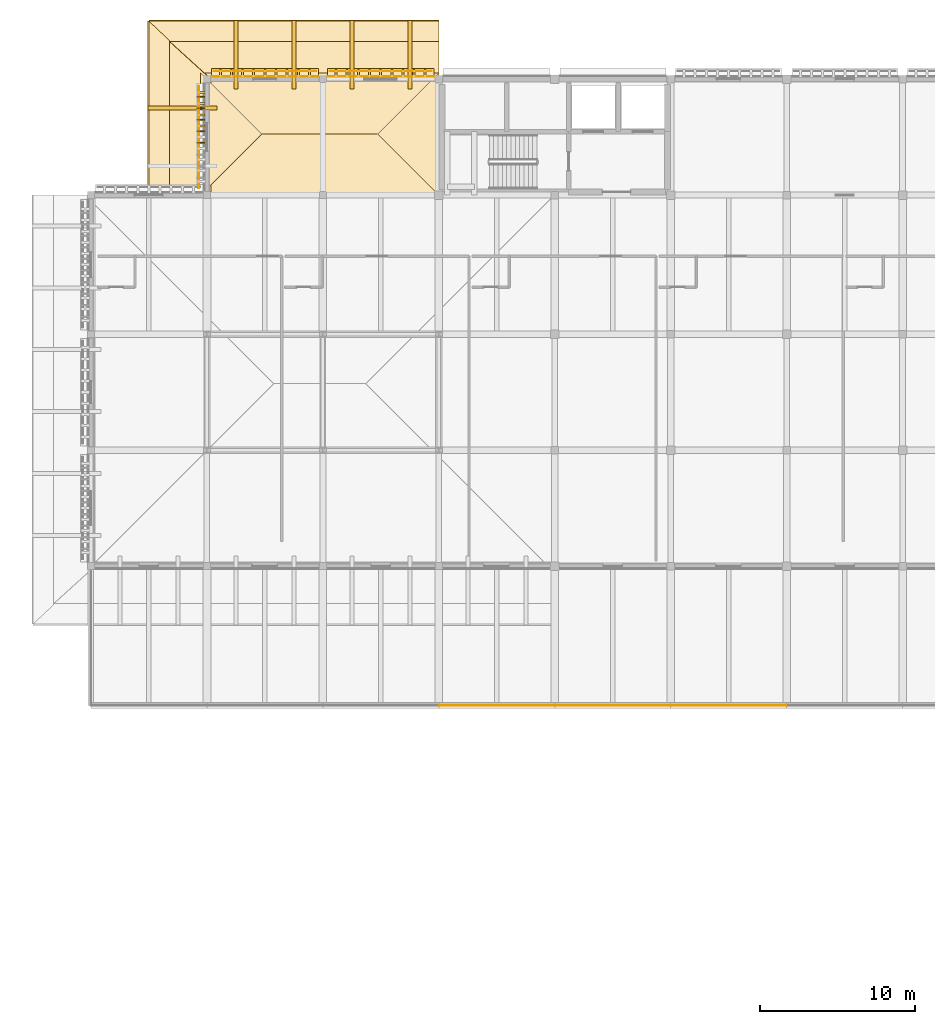
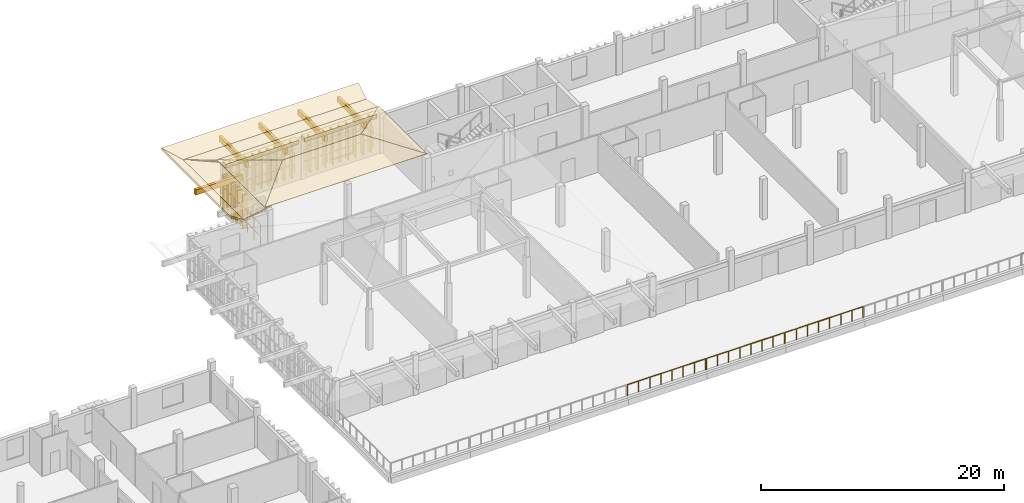
# One storey, part 41 of 48: 39 coverings, 9 railings, 5 shading devices.
"""IFC4 building model written with IfcOpenShell, lengths in metres."""

import ifcopenshell
import ifcopenshell.guid

model = None  # the IFC model being written
_history = None  # IfcOwnerHistory: only IFC2X3 demands one
_inside = {}  # id of a spatial element -> (the spatial element, [elements in it])
_under = {}  # id of a project, library or spatial element -> (it, [spatial elements below it])
_declared = {}  # id of a project -> (the project, [libraries it declares])
_typed = {}  # id of a type object -> (the type object, [elements of that type])
_made_of = {}  # id of a material, layer set ... -> (it, [elements and type objects made of it])


def new_model(schema):
    """Start an empty IFC model of exactly this schema.

    Asked for "IFC4X3", IfcOpenShell would pick the latest addendum, in which some entities
    have other attributes; the version numbers below select the first issue.
    IFC2X3 requires an IfcOwnerHistory on every rooted entity: one is made here for all.
    """
    global model, _history
    if schema == "IFC4X3":
        model = ifcopenshell.file(schema_version=(4, 3, 0, 0))
    else:
        model = ifcopenshell.file(schema=schema)
    _inside.clear()
    _under.clear()
    _declared.clear()
    _typed.clear()
    _made_of.clear()
    _history = None
    if model.schema == "IFC2X3":
        org = make("IfcOrganization", Name="unknown")
        user = make(
            "IfcPersonAndOrganization",
            ThePerson=make("IfcPerson", FamilyName="unknown"),
            TheOrganization=org,
        )
        app = make(
            "IfcApplication",
            ApplicationDeveloper=org,
            Version="unknown",
            ApplicationFullName="unknown",
            ApplicationIdentifier="unknown",
        )
        _history = make(
            "IfcOwnerHistory",
            OwningUser=user,
            OwningApplication=app,
            ChangeAction="ADDED",
            CreationDate=0,
        )
    return model


def make(cls, **values):
    """One entity of the class cls with the attributes given. An attribute that is None is left unset."""
    return model.create_entity(
        cls, **{name: value for name, value in values.items() if value is not None}
    )


def rooted(cls, **values):
    """An entity with a GlobalId (a new one), such as an element, a storey or a relation."""
    return make(cls, GlobalId=ifcopenshell.guid.new(), OwnerHistory=_history, **values)


def si_unit(unit_type, name, prefix=None):
    """IfcSIUnit, for example si_unit("LENGTHUNIT", "METRE", prefix="MILLI")."""
    return make("IfcSIUnit", UnitType=unit_type, Prefix=prefix, Name=name)


def assignment(units):
    """IfcUnitAssignment: the units of a project."""
    return None if units is None else make("IfcUnitAssignment", Units=units)


def point(xyz):
    """IfcCartesianPoint."""
    return None if xyz is None else make("IfcCartesianPoint", Coordinates=xyz)


def direction(xyz):
    """IfcDirection."""
    return None if xyz is None else make("IfcDirection", DirectionRatios=xyz)


def frame(location, z_axis=None, x_axis=None):
    """IfcAxis2Placement3D, a coordinate frame: its origin and axes. An axis left out is left unset."""
    return make(
        "IfcAxis2Placement3D",
        Location=point(location),
        Axis=direction(z_axis),
        RefDirection=direction(x_axis),
    )


def frame_2d(location, x_axis=None):
    """IfcAxis2Placement2D, a coordinate frame in the plane: its origin and x axis."""
    return make(
        "IfcAxis2Placement2D", Location=point(location), RefDirection=direction(x_axis)
    )


def origin():
    """The frame at (0, 0, 0) with its axes left unset."""
    return frame((0.0, 0.0, 0.0))


def origin_2d():
    """The frame at (0, 0) in the plane with its x axis left unset."""
    return frame_2d((0.0, 0.0))


def place(relative_to, where):
    """IfcLocalPlacement: puts the frame where relative to a parent placement (None: the world)."""
    return make(
        "IfcLocalPlacement", PlacementRelTo=relative_to, RelativePlacement=where
    )


def context(
    kind, dimensions, precision=None, world=None, true_north=None, identifier=None
):
    """IfcGeometricRepresentationContext, for example the 3D "Model" context."""
    return make(
        "IfcGeometricRepresentationContext",
        ContextIdentifier=identifier,
        ContextType=kind,
        CoordinateSpaceDimension=dimensions,
        Precision=precision,
        WorldCoordinateSystem=world,
        TrueNorth=true_north,
    )


def subcontext(parent, identifier, kind, view, scale=None):
    """IfcGeometricRepresentationSubContext, for example "Body" below "Model"."""
    return make(
        "IfcGeometricRepresentationSubContext",
        ContextIdentifier=identifier,
        ContextType=kind,
        ParentContext=parent,
        TargetScale=scale,
        TargetView=view,
    )


def project(units=None, contexts=None):
    """IfcProject with its units and contexts."""
    return rooted(
        "IfcProject",
        Name="project",
        RepresentationContexts=contexts,
        UnitsInContext=assignment(units),
    )


def spatial(cls, under=None, at=None, **own):
    """A site, building, storey or space (cls), placed at a placement, below another one or the project."""
    s = rooted(cls, ObjectPlacement=at, **own)
    if under is not None:
        _under.setdefault(under.id(), (under, []))[1].append(s)
    return s


def polyline(points):
    """IfcPolyline through the points."""
    return make("IfcPolyline", Points=[point(p) for p in points])


def profile(cls, at=None, kind="AREA", **sizes):
    """A parametric profile (cls). Its sizes go by their IFC names, for example OverallWidth=200.0."""
    return make(cls, ProfileType=kind, Position=at, **sizes)


def rectangle(**sizes):
    """IfcRectangleProfileDef."""
    return profile("IfcRectangleProfileDef", **sizes)


def circle(**sizes):
    """IfcCircleProfileDef."""
    return profile("IfcCircleProfileDef", **sizes)


def outline(outer, holes=None, kind="AREA"):
    """IfcArbitraryClosedProfileDef: a profile drawn as a closed curve; with holes, ...WithVoids."""
    if holes is None:
        return make("IfcArbitraryClosedProfileDef", ProfileType=kind, OuterCurve=outer)
    return make(
        "IfcArbitraryProfileDefWithVoids",
        ProfileType=kind,
        OuterCurve=outer,
        InnerCurves=holes,
    )


def extrude(swept, where, along, depth):
    """IfcExtrudedAreaSolid: the profile swept, set in the frame where, extruded along a direction by depth."""
    return make(
        "IfcExtrudedAreaSolid",
        SweptArea=swept,
        Position=where,
        ExtrudedDirection=direction(along),
        Depth=depth,
    )


def shape(context_of_items, identifier, shape_type, items):
    """IfcShapeRepresentation: the items that make up one representation, for example the "Body"."""
    return make(
        "IfcShapeRepresentation",
        ContextOfItems=context_of_items,
        RepresentationIdentifier=identifier,
        RepresentationType=shape_type,
        Items=items,
    )


def material(Name=None, Category=None):
    """IfcMaterial."""
    return make("IfcMaterial", Name=Name, Category=Category)


def layer(
    of_material, thickness, ventilated=None, Name=None, Category=None, Priority=None
):
    """IfcMaterialLayer: one layer of a wall or slab, of a material (None: an air gap)."""
    return make(
        "IfcMaterialLayer",
        Material=of_material,
        LayerThickness=thickness,
        IsVentilated=ventilated,
        Name=Name,
        Category=Category,
        Priority=Priority,
    )


def layer_set(layers, Name=None):
    """IfcMaterialLayerSet."""
    return make("IfcMaterialLayerSet", MaterialLayers=layers, LayerSetName=Name)


def made_of(thing, what):
    """Note that an element or type object is made of a material, layer set ...; save() writes the relation."""
    if what is not None:
        _made_of.setdefault(what.id(), (what, []))[1].append(thing)
    return thing


def type_object(cls, material=None, **own):
    """A type object (cls), such as IfcWallType, which elements share."""
    return made_of(rooted(cls, **own), material)


def element(
    cls,
    number,
    at=None,
    inside=None,
    cuts=None,
    type_object=None,
    material=None,
    context=None,
    identifier="Body",
    shape_type=None,
    held_by="IfcProductDefinitionShape",
    body=None,
    shapes=None,
    **own,
):
    """One element of the class cls, such as IfcWall. Its Tag is "e" and its number.

    at: its placement. inside: the storey or other place that contains it. cuts: it is an
    opening in that element (IfcRelVoidsElement). A single representation is given by context,
    identifier, shape_type and body (its items); several are given by shapes. held_by: the class
    of the entity that holds the representations. save() writes the other relations.
    """
    e = rooted(cls, Tag="e%d" % number, ObjectPlacement=at, **own)
    if body is not None:
        shapes = [shape(context, identifier, shape_type, body)]
    if shapes is not None:
        e.Representation = make(held_by, Representations=shapes)
    if inside is not None:
        _inside.setdefault(inside.id(), (inside, []))[1].append(e)
    if cuts is not None:
        rooted(
            "IfcRelVoidsElement", RelatingBuildingElement=cuts, RelatedOpeningElement=e
        )
    if type_object is not None:
        _typed.setdefault(type_object.id(), (type_object, []))[1].append(e)
    return made_of(e, material)


def aggregate(whole, parts):
    """IfcRelAggregates: a whole, such as a stair, and the parts it consists of."""
    return rooted("IfcRelAggregates", RelatingObject=whole, RelatedObjects=parts)


def save(model, path):
    """Write the relations noted so far, then the file.

    IfcRelAggregates (storeys below a building ...), IfcRelContainedInSpatialStructure (elements
    in a storey), IfcRelDefinesByType, IfcRelAssociatesMaterial and IfcRelDeclares: one each for
    every whole, place, type object, material and project.
    """
    for whole, parts in _under.values():
        aggregate(whole, parts)
    for where, things in _inside.values():
        rooted(
            "IfcRelContainedInSpatialStructure",
            RelatedElements=things,
            RelatingStructure=where,
        )
    for kind, things in _typed.values():
        rooted("IfcRelDefinesByType", RelatedObjects=things, RelatingType=kind)
    for what, things in _made_of.values():
        rooted("IfcRelAssociatesMaterial", RelatedObjects=things, RelatingMaterial=what)
    for by, libraries in _declared.values():
        rooted("IfcRelDeclares", RelatingContext=by, RelatedDefinitions=libraries)
    model.write(path)


model = new_model("IFC4")

# Units and contexts
model_context = context("Model", 3, precision=1e-05, world=origin(), true_north=direction((0.0, 1.0)))
body_context = subcontext(model_context, "Body", "Model", "MODEL_VIEW")
ifc_project = project(units=[si_unit("LENGTHUNIT", "METRE"), si_unit("AREAUNIT", "SQUARE_METRE"), si_unit("VOLUMEUNIT", "CUBIC_METRE"), si_unit("PLANEANGLEUNIT", "RADIAN"), si_unit("MASSUNIT", "GRAM", prefix="KILO")], contexts=[model_context])

# Site, building, storey
site_placement = place(None, origin())
site = spatial("IfcSite", under=ifc_project, at=site_placement, CompositionType="ELEMENT")
building_placement = place(site_placement, origin())
building = spatial("IfcBuilding", under=site, at=building_placement, Name="Dalvernix Boulevard General Hospital", CompositionType="ELEMENT")
storey_placement = place(building_placement, frame((0.0, 0.0, 17.85009765625)))
storey = spatial("IfcBuildingStorey", under=building, at=storey_placement, Name="L04", CompositionType="ELEMENT", Elevation=17.85009765625)

# Coverings
ifc_material_1 = material(Name="Polychrome Catalan glazed ceramic spandrel tile panel")
ifc_layer_1 = layer(ifc_material_1, 0.044921875)
ifc_layer_set_1 = layer_set([ifc_layer_1], Name="Polychrome Catalan glazed ceramic spandrel tile panel (COV-CLD-01)")
covering_type_1 = type_object("IfcCoveringType", Name="COV-CLD-01", PredefinedType="CLADDING", material=ifc_layer_set_1)
covering_1_placement = place(storey_placement, frame((48.75, 117.169921875, 3.294921875), z_axis=(0.0, 0.0, 1.0), x_axis=(1.0, 0.0, 0.0)))
element("IfcCovering", 1, at=covering_1_placement, inside=storey, type_object=covering_type_1, Name="L04 polychrome ceramic spandrel N 6-15", PredefinedType="CLADDING", context=body_context, shape_type="SweptSolid", body=[
    extrude(rectangle(XDim=6.929931640625, YDim=0.044921875, at=origin_2d()), origin(), (0.0, 0.0, 1.0), 0.449951171875),
])
covering_2_placement = place(storey_placement, frame((56.237548828125, 117.169921875, 3.294921875), z_axis=(0.0, 0.0, 1.0), x_axis=(1.0, 0.0, 0.0)))
element("IfcCovering", 2, at=covering_2_placement, inside=storey, type_object=covering_type_1, Name="L04 polychrome ceramic spandrel N 7-15", PredefinedType="CLADDING", context=body_context, shape_type="SweptSolid", body=[
    extrude(rectangle(XDim=6.905029296875, YDim=0.044921875, at=origin_2d()), origin(), (0.0, 0.0, 1.0), 0.449951171875),
])
ifc_material_2 = material(Name="Dressed ochre limestone classical plinth, stringcourse and corbelled cornice", Category="masonry")
ifc_layer_2 = layer(ifc_material_2, 0.449951171875)
ifc_layer_set_2 = layer_set([ifc_layer_2], Name="Dressed ochre limestone classical plinth, stringcourse and corbelled cornice (COV-CRN-01)")
covering_type_2 = type_object("IfcCoveringType", Name="COV-CRN-01", PredefinedType="CLADDING", material=ifc_layer_set_2)
covering_3_placement = place(storey_placement, frame((48.75, 117.409912109375, 3.369873046875), z_axis=(0.0, 0.0, 1.0), x_axis=(1.0, 0.0, 0.0)))
element("IfcCovering", 3, at=covering_3_placement, inside=storey, type_object=covering_type_2, Name="L04 classical corbelled cornice frieze N 6-15", PredefinedType="CLADDING", context=body_context, shape_type="SweptSolid", body=[
    extrude(rectangle(XDim=6.929931640625, YDim=0.56005859375, at=origin_2d()), origin(), (0.0, 0.0, 1.0), 0.39990234375),
])
covering_4_placement = place(storey_placement, frame((56.237548828125, 117.409912109375, 3.369873046875), z_axis=(0.0, 0.0, 1.0), x_axis=(1.0, 0.0, 0.0)))
element("IfcCovering", 4, at=covering_4_placement, inside=storey, type_object=covering_type_2, Name="L04 classical corbelled cornice frieze N 7-15", PredefinedType="CLADDING", context=body_context, shape_type="SweptSolid", body=[
    extrude(rectangle(XDim=6.905029296875, YDim=0.56005859375, at=origin_2d()), origin(), (0.0, 0.0, 1.0), 0.39990234375),
])
ifc_material_3 = material(Name="Glazed Catalan terracotta and iroko timber overhanging upturned eave", Category="masonry")
ifc_layer_3 = layer(ifc_material_3, 0.139892578125)
ifc_layer_set_3 = layer_set([ifc_layer_3], Name="Glazed Catalan terracotta and iroko timber overhanging upturned eave (COV-EAVE-01)")
covering_type_3 = type_object("IfcCoveringType", Name="COV-EAVE-01", PredefinedType="CLADDING", material=ifc_layer_set_3)
covering_5_placement = place(storey_placement, frame((60.0, 116.75, 4.309814453125), z_axis=(0.0, 0.185805173125, 0.982586605669), x_axis=(-1.0, 0.0, 0.0)))
element("IfcCovering", 5, at=covering_5_placement, inside=storey, type_object=covering_type_3, Name="V3NW overhanging ceramic eave skirt N", PredefinedType="CLADDING", context=body_context, shape_type="SweptSolid", body=[
    extrude(outline(polyline([(0.0, 0.0), (15.0, 0.0), (17.5, -2.798735484621844), (0.0, -2.798735484621844), (0.0, 0.0)])), origin(), (0.0, 0.0, -1.0), 0.139892578125),
])
covering_6_placement = place(storey_placement, frame((60.0, 119.419921875, 3.789794921875), z_axis=(0.0, -0.543014792189, 0.839723130242), x_axis=(-1.0, 0.0, 0.0)))
element("IfcCovering", 6, at=covering_6_placement, inside=storey, type_object=covering_type_3, Name="V3NW upturned ceramic eave wing N", PredefinedType="CLADDING", context=body_context, shape_type="SweptSolid", body=[
    extrude(outline(polyline([(0.0, 0.0), (17.5, 0.0), (18.75, -1.5839484195414872), (0.0, -1.5839484195414872), (0.0, 0.0)])), origin(), (0.0, 0.0, -1.0), 0.139892578125),
])
covering_7_placement = place(storey_placement, frame((45.25, 117.0, 4.309814453125), z_axis=(-0.185805173125, 0.0, 0.982586605669), x_axis=(0.0, -1.0, 0.0)))
element("IfcCovering", 7, at=covering_7_placement, inside=storey, type_object=covering_type_3, Name="V3NW overhanging ceramic eave skirt W", PredefinedType="CLADDING", context=body_context, shape_type="SweptSolid", body=[
    extrude(outline(polyline([(0.0, 0.0), (7.5, 0.0), (7.5, -2.798735484621844), (-2.5, -2.798735484621844), (0.0, 0.0)])), origin(), (0.0, 0.0, -1.0), 0.139892578125),
])
covering_8_placement = place(storey_placement, frame((42.580078125, 119.5, 3.789794921875), z_axis=(0.543014792189, 0.0, 0.839723130242), x_axis=(0.0, -1.0, 0.0)))
element("IfcCovering", 8, at=covering_8_placement, inside=storey, type_object=covering_type_3, Name="V3NW upturned ceramic eave wing W", PredefinedType="CLADDING", context=body_context, shape_type="SweptSolid", body=[
    extrude(outline(polyline([(0.0, 0.0), (10.0, 0.0), (10.0, -1.5839484195414872), (-1.25, -1.5839484195414872), (0.0, 0.0)])), origin(), (0.0, 0.0, -1.0), 0.139892578125),
])
ifc_material_4 = material(Name="Preservative-treated glulam GL28h eave outlooker corbel bracket", Category="wood")
ifc_layer_4 = layer(ifc_material_4, 0.239990234375)
ifc_layer_set_4 = layer_set([ifc_layer_4], Name="Preservative-treated glulam GL28h eave outlooker corbel bracket (COV-OUTLOOK-01)")
covering_type_4 = type_object("IfcCoveringType", Name="COV-OUTLOOK-01", PredefinedType="CLADDING", material=ifc_layer_set_4)
for number, where, z_axis, x_axis, name in (
    (9, (46.875, 118.574951171875, 3.389892578125), (0.0, 0.0, 1.0), (1.0, 0.0, 0.0), "V3NW glulam eave outlooker corbel N-1"),
    (10, (50.625, 118.574951171875, 3.389892578125), (0.0, 0.0, 1.0), (1.0, 0.0, 0.0), "V3NW glulam eave outlooker corbel N-2"),
    (11, (54.375, 118.574951171875, 3.389892578125), (0.0, 0.0, 1.0), (1.0, 0.0, 0.0), "V3NW glulam eave outlooker corbel N-3"),
    (12, (58.125, 118.574951171875, 3.389892578125), (0.0, 0.0, 1.0), (1.0, 0.0, 0.0), "V3NW glulam eave outlooker corbel N-4"),
):
    element("IfcCovering", number, at=place(storey_placement, frame(where, z_axis=z_axis, x_axis=x_axis)), inside=storey, type_object=covering_type_4, Name=name, PredefinedType="CLADDING", context=body_context, shape_type="SweptSolid", body=[
        extrude(rectangle(XDim=0.260009765625, YDim=4.449951171875, at=origin_2d()), origin(), (0.0, 0.0, 1.0), 0.52001953125),
    ])
covering_9_placement = place(storey_placement, frame((43.425048828125, 115.125, 3.389892578125), z_axis=(0.0, 0.0, 1.0), x_axis=(1.0, 0.0, 0.0)))
element("IfcCovering", 13, at=covering_9_placement, inside=storey, type_object=covering_type_4, Name="V3NW glulam eave outlooker corbel W-2", PredefinedType="CLADDING", context=body_context, shape_type="SweptSolid", body=[
    extrude(rectangle(XDim=4.449951171875, YDim=0.260009765625, at=origin_2d()), origin(), (0.0, 0.0, 1.0), 0.52001953125),
])
ifc_material_5 = material(Name="Polychrome Catalan glazed terracotta roof tiles", Category="masonry")
ifc_layer_5 = layer(ifc_material_5, 0.050048828125)
ifc_layer_set_5 = layer_set([ifc_layer_5], Name="Polychrome Catalan glazed terracotta roof tiles (COV-ROOF-01)")
covering_type_5 = type_object("IfcCoveringType", Name="COV-ROOF-01", PredefinedType="ROOFING", material=ifc_layer_set_5)
for number, where, z_axis, x_axis, name in (
    (14, (44.60009765625, 109.5, 4.31982421875), (0.0, -0.238536653022, 0.971133495028), (1.0, 0.0, 0.0), "V3NW glazed terracotta tile slope S"),
    (15, (60.0, 117.39990234375, 4.31982421875), (0.0, 0.238536653022, 0.971133495028), (-1.0, 0.0, 0.0), "V3NW glazed terracotta tile slope N"),
):
    element("IfcCovering", number, at=place(storey_placement, frame(where, z_axis=z_axis, x_axis=x_axis)), inside=storey, type_object=covering_type_5, Name=name, PredefinedType="ROOFING", context=body_context, shape_type="SweptSolid", body=[
        extrude(outline(polyline([(0.0, 0.0), (15.39990234375, 0.0), (11.449951171875, 4.067361688272819), (3.949951171875, 4.067361688272819), (0.0, 0.0)])), origin(), (0.0, 0.0, -1.0), 0.050048828125),
    ])
for number, where, z_axis, x_axis, name in (
    (16, (44.60009765625, 117.39990234375, 4.31982421875), (-0.238536653022, 0.0, 0.971133495028), (0.0, -1.0, 0.0), "V3NW glazed terracotta tile slope W"),
    (17, (60.0, 109.5, 4.31982421875), (0.238536653022, 0.0, 0.971133495028), (0.0, 1.0, 0.0), "V3NW glazed terracotta tile slope E"),
):
    element("IfcCovering", number, at=place(storey_placement, frame(where, z_axis=z_axis, x_axis=x_axis)), inside=storey, type_object=covering_type_5, Name=name, PredefinedType="ROOFING", context=body_context, shape_type="SweptSolid", body=[
        extrude(outline(polyline([(0.0, 0.0), (7.89990234375, 0.0), (3.949951171875, 4.06736168827282), (0.0, 0.0)])), origin(), (0.0, 0.0, -1.0), 0.050048828125),
    ])
ifc_material_6 = material(Name="Preservative-treated West African iroko timber lattice screen", Category="wood")
ifc_layer_6 = layer(ifc_material_6, 0.1201171875)
ifc_layer_set_6 = layer_set([ifc_layer_6], Name="Preservative-treated West African iroko timber lattice screen (COV-TSCR-01)")
covering_type_6 = type_object("IfcCoveringType", Name="COV-TSCR-01", PredefinedType="CLADDING", material=ifc_layer_set_6)
for number, where, z_axis, x_axis, name in (
    (18, (45.8701171875, 117.3701171875, 0.10009765625), (0.0, 0.0, 1.0), (1.0, 0.0, 0.0), "L04 upper-ward timber screen blade N 6-15-1"),
    (19, (46.590087890625, 117.3701171875, 0.10009765625), (0.0, 0.0, 1.0), (1.0, 0.0, 0.0), "L04 upper-ward timber screen blade N 6-15-2"),
    (20, (47.31005859375, 117.3701171875, 0.10009765625), (0.0, 0.0, 1.0), (1.0, 0.0, 0.0), "L04 upper-ward timber screen blade N 6-15-3"),
    (21, (48.030029296875, 117.3701171875, 0.10009765625), (0.0, 0.0, 1.0), (1.0, 0.0, 0.0), "L04 upper-ward timber screen blade N 6-15-4"),
    (22, (48.75, 117.3701171875, 0.10009765625), (0.0, 0.0, 1.0), (1.0, 0.0, 0.0), "L04 upper-ward timber screen blade N 6-15-5"),
    (23, (49.469970703125, 117.3701171875, 0.10009765625), (0.0, 0.0, 1.0), (1.0, 0.0, 0.0), "L04 upper-ward timber screen blade N 6-15-6"),
    (24, (50.18994140625, 117.3701171875, 0.10009765625), (0.0, 0.0, 1.0), (1.0, 0.0, 0.0), "L04 upper-ward timber screen blade N 6-15-7"),
    (25, (50.909912109375, 117.3701171875, 0.10009765625), (0.0, 0.0, 1.0), (1.0, 0.0, 0.0), "L04 upper-ward timber screen blade N 6-15-8"),
    (26, (51.6298828125, 117.3701171875, 0.10009765625), (0.0, 0.0, 1.0), (1.0, 0.0, 0.0), "L04 upper-ward timber screen blade N 6-15-9"),
    (27, (44.6298828125, 113.969970703125, 0.10009765625), (0.0, 0.0, 1.0), (0.0, 1.0, 0.0), "L04 upper-ward timber screen blade W 6-14-6"),
    (28, (44.6298828125, 114.68994140625, 0.10009765625), (0.0, 0.0, 1.0), (0.0, 1.0, 0.0), "L04 upper-ward timber screen blade W 6-14-7"),
    (29, (44.6298828125, 115.409912109375, 0.10009765625), (0.0, 0.0, 1.0), (0.0, 1.0, 0.0), "L04 upper-ward timber screen blade W 6-14-8"),
    (30, (44.6298828125, 116.1298828125, 0.10009765625), (0.0, 0.0, 1.0), (0.0, 1.0, 0.0), "L04 upper-ward timber screen blade W 6-14-9"),
    (31, (53.357421875, 117.3701171875, 0.10009765625), (0.0, 0.0, 1.0), (1.0, 0.0, 0.0), "L04 upper-ward timber screen blade N 7-15-1"),
    (32, (54.077392578125, 117.3701171875, 0.10009765625), (0.0, 0.0, 1.0), (1.0, 0.0, 0.0), "L04 upper-ward timber screen blade N 7-15-2"),
    (33, (54.797607421875, 117.3701171875, 0.10009765625), (0.0, 0.0, 1.0), (1.0, 0.0, 0.0), "L04 upper-ward timber screen blade N 7-15-3"),
    (34, (55.517578125, 117.3701171875, 0.10009765625), (0.0, 0.0, 1.0), (1.0, 0.0, 0.0), "L04 upper-ward timber screen blade N 7-15-4"),
    (35, (56.237548828125, 117.3701171875, 0.10009765625), (0.0, 0.0, 1.0), (1.0, 0.0, 0.0), "L04 upper-ward timber screen blade N 7-15-5"),
    (36, (56.95751953125, 117.3701171875, 0.10009765625), (0.0, 0.0, 1.0), (1.0, 0.0, 0.0), "L04 upper-ward timber screen blade N 7-15-6"),
    (37, (57.677490234375, 117.3701171875, 0.10009765625), (0.0, 0.0, 1.0), (1.0, 0.0, 0.0), "L04 upper-ward timber screen blade N 7-15-7"),
    (38, (58.3974609375, 117.3701171875, 0.10009765625), (0.0, 0.0, 1.0), (1.0, 0.0, 0.0), "L04 upper-ward timber screen blade N 7-15-8"),
    (39, (59.117431640625, 117.3701171875, 0.10009765625), (0.0, 0.0, 1.0), (1.0, 0.0, 0.0), "L04 upper-ward timber screen blade N 7-15-9"),
):
    element("IfcCovering", number, at=place(storey_placement, frame(where, z_axis=z_axis, x_axis=x_axis)), inside=storey, type_object=covering_type_6, Name=name, PredefinedType="CLADDING", context=body_context, shape_type="SweptSolid", body=[
        extrude(rectangle(XDim=0.1298828125, YDim=0.47998046875, at=origin_2d()), origin(), (0.0, 0.0, 1.0), 3.570068359375),
    ])

# Railings
ifc_material_7 = material(Name="Powder-coated galvanized steel balustrade", Category="steel")
railing_type_1 = type_object("IfcRailingType", Name="RL-GR-EXT1", PredefinedType="BALUSTRADE", material=ifc_material_7)
for number, where, name in (
    (40, (82.4599609375, 76.5, 0.0), "L04 terrace safety balustrade 9"),
    (41, (74.9599609375, 76.5, 0.0), "L04 terrace safety balustrade 10"),
    (42, (67.4599609375, 76.5, 0.0), "L04 terrace safety balustrade 11"),
):
    element("IfcRailing", number, at=place(storey_placement, frame(where)), inside=storey, type_object=railing_type_1, Name=name, PredefinedType="BALUSTRADE", context=body_context, shape_type="SweptSolid", body=[
        extrude(circle(Radius=0.02392578125, at=origin_2d()), frame((0.0, 0.0, 1.09619140625), z_axis=(-1.0, 0.0, 0.0), x_axis=(0.0, -1.0, 0.0)), (0.0, 0.0, 1.0), 7.419921875),
        extrude(circle(Radius=0.02099609375, at=origin_2d()), origin(), (0.0, 0.0, 1.0), 1.072021484375),
        extrude(circle(Radius=0.02099609375, at=origin_2d()), frame((-1.06005859375, 0.0, 0.0)), (0.0, 0.0, 1.0), 1.072021484375),
        extrude(circle(Radius=0.02099609375, at=origin_2d()), frame((-2.119873046875, 0.0, 0.0)), (0.0, 0.0, 1.0), 1.072021484375),
        extrude(circle(Radius=0.02099609375, at=origin_2d()), frame((-3.179931640625, 0.0, 0.0)), (0.0, 0.0, 1.0), 1.072021484375),
        extrude(circle(Radius=0.02099609375, at=origin_2d()), frame((-4.239990234375, 0.0, 0.0)), (0.0, 0.0, 1.0), 1.072021484375),
        extrude(circle(Radius=0.02099609375, at=origin_2d()), frame((-5.300048828125, 0.0, 0.0)), (0.0, 0.0, 1.0), 1.072021484375),
        extrude(circle(Radius=0.02099609375, at=origin_2d()), frame((-6.35986328125, 0.0, 0.0)), (0.0, 0.0, 1.0), 1.072021484375),
        extrude(circle(Radius=0.02099609375, at=origin_2d()), frame((-7.419921875, 0.0, 0.0)), (0.0, 0.0, 1.0), 1.072021484375),
    ])
ifc_material_8 = material(Name="Preservative-treated iroko timber horizontal screen louver rail", Category="wood")
railing_type_2 = type_object("IfcRailingType", Name="RL-TSCR-01", PredefinedType="BALUSTRADE", material=ifc_material_8)
for number, where, name in (
    (43, (45.455078125, 117.530029296875, 0.25), "L04 upper-ward horizontal timber screen louver N 6-15-1"),
    (44, (45.455078125, 117.530029296875, 1.449951171875), "L04 upper-ward horizontal timber screen louver N 6-15-2"),
):
    element("IfcRailing", number, at=place(storey_placement, frame(where)), inside=storey, type_object=railing_type_2, Name=name, PredefinedType="BALUSTRADE", context=body_context, shape_type="SweptSolid", body=[
        extrude(circle(Radius=0.02392578125, at=origin_2d()), frame((0.0, 0.0, 0.92578125), z_axis=(1.0, 0.0, 0.0), x_axis=(0.0, 1.0, 0.0)), (0.0, 0.0, 1.0), 6.58984375),
        extrude(circle(Radius=0.02099609375, at=origin_2d()), origin(), (0.0, 0.0, 1.0), 0.90185546875),
        extrude(circle(Radius=0.02099609375, at=origin_2d()), frame((1.098388671875, 0.0, 0.0)), (0.0, 0.0, 1.0), 0.90185546875),
        extrude(circle(Radius=0.02099609375, at=origin_2d()), frame((2.196533203125, 0.0, 0.0)), (0.0, 0.0, 1.0), 0.90185546875),
        extrude(circle(Radius=0.02099609375, at=origin_2d()), frame((3.294921875, 0.0, 0.0)), (0.0, 0.0, 1.0), 0.90185546875),
        extrude(circle(Radius=0.02099609375, at=origin_2d()), frame((4.393310546875, 0.0, 0.0)), (0.0, 0.0, 1.0), 0.90185546875),
        extrude(circle(Radius=0.02099609375, at=origin_2d()), frame((5.491455078125, 0.0, 0.0)), (0.0, 0.0, 1.0), 0.90185546875),
        extrude(circle(Radius=0.02099609375, at=origin_2d()), frame((6.58984375, 0.0, 0.0)), (0.0, 0.0, 1.0), 0.90185546875),
    ])
for number, where, name in (
    (45, (44.469970703125, 109.955078125, 0.25), "L04 upper-ward horizontal timber screen louver W 6-14-1"),
    (46, (44.469970703125, 109.955078125, 1.449951171875), "L04 upper-ward horizontal timber screen louver W 6-14-2"),
):
    element("IfcRailing", number, at=place(storey_placement, frame(where)), inside=storey, type_object=railing_type_2, Name=name, PredefinedType="BALUSTRADE", context=body_context, shape_type="SweptSolid", body=[
        extrude(circle(Radius=0.02392578125, at=origin_2d()), frame((0.0, 0.0, 0.92578125), z_axis=(0.0, 1.0, 0.0), x_axis=(-1.0, 0.0, 0.0)), (0.0, 0.0, 1.0), 6.58984375),
        extrude(circle(Radius=0.02099609375, at=origin_2d()), origin(), (0.0, 0.0, 1.0), 0.90185546875),
        extrude(circle(Radius=0.02099609375, at=origin_2d()), frame((0.0, 1.098388671875, 0.0)), (0.0, 0.0, 1.0), 0.90185546875),
        extrude(circle(Radius=0.02099609375, at=origin_2d()), frame((0.0, 2.196533203125, 0.0)), (0.0, 0.0, 1.0), 0.90185546875),
        extrude(circle(Radius=0.02099609375, at=origin_2d()), frame((0.0, 3.294921875, 0.0)), (0.0, 0.0, 1.0), 0.90185546875),
        extrude(circle(Radius=0.02099609375, at=origin_2d()), frame((0.0, 4.393310546875, 0.0)), (0.0, 0.0, 1.0), 0.90185546875),
        extrude(circle(Radius=0.02099609375, at=origin_2d()), frame((0.0, 5.491455078125, 0.0)), (0.0, 0.0, 1.0), 0.90185546875),
        extrude(circle(Radius=0.02099609375, at=origin_2d()), frame((0.0, 6.58984375, 0.0)), (0.0, 0.0, 1.0), 0.90185546875),
    ])
for number, where, name in (
    (47, (52.955078125, 117.530029296875, 0.25), "L04 upper-ward horizontal timber screen louver N 7-15-1"),
    (48, (52.955078125, 117.530029296875, 1.449951171875), "L04 upper-ward horizontal timber screen louver N 7-15-2"),
):
    element("IfcRailing", number, at=place(storey_placement, frame(where)), inside=storey, type_object=railing_type_2, Name=name, PredefinedType="BALUSTRADE", context=body_context, shape_type="SweptSolid", body=[
        extrude(circle(Radius=0.02392578125, at=origin_2d()), frame((0.0, 0.0, 0.92578125), z_axis=(1.0, 0.0, 0.0), x_axis=(0.0, 1.0, 0.0)), (0.0, 0.0, 1.0), 6.56494140625),
        extrude(circle(Radius=0.02099609375, at=origin_2d()), origin(), (0.0, 0.0, 1.0), 0.90185546875),
        extrude(circle(Radius=0.02099609375, at=origin_2d()), frame((1.09423828125, 0.0, 0.0)), (0.0, 0.0, 1.0), 0.90185546875),
        extrude(circle(Radius=0.02099609375, at=origin_2d()), frame((2.188232421875, 0.0, 0.0)), (0.0, 0.0, 1.0), 0.90185546875),
        extrude(circle(Radius=0.02099609375, at=origin_2d()), frame((3.282470703125, 0.0, 0.0)), (0.0, 0.0, 1.0), 0.90185546875),
        extrude(circle(Radius=0.02099609375, at=origin_2d()), frame((4.376708984375, 0.0, 0.0)), (0.0, 0.0, 1.0), 0.90185546875),
        extrude(circle(Radius=0.02099609375, at=origin_2d()), frame((5.470703125, 0.0, 0.0)), (0.0, 0.0, 1.0), 0.90185546875),
        extrude(circle(Radius=0.02099609375, at=origin_2d()), frame((6.56494140625, 0.0, 0.0)), (0.0, 0.0, 1.0), 0.90185546875),
    ])

# Shading devices
ifc_material_9 = material(Name="Preservative-treated West African iroko timber", Category="wood")
shading_device_type = type_object("IfcShadingDeviceType", Name="SHD-FIN-01", PredefinedType="USERDEFINED", material=ifc_material_9)
for number, where, z_axis, x_axis, name in (
    (49, (44.6201171875, 112.875, 0.175048828125), (0.0, 0.0, 1.0), (0.0, 1.0, 0.0), "L04 iroko brise-soleil fin 4"),
    (50, (44.6201171875, 113.625, 0.175048828125), (0.0, 0.0, 1.0), (0.0, 1.0, 0.0), "L04 iroko brise-soleil fin 5"),
    (51, (44.6201171875, 114.375, 0.175048828125), (0.0, 0.0, 1.0), (0.0, 1.0, 0.0), "L04 iroko brise-soleil fin 6"),
    (52, (44.6201171875, 115.125, 0.175048828125), (0.0, 0.0, 1.0), (0.0, 1.0, 0.0), "L04 iroko brise-soleil fin 7"),
    (53, (44.6201171875, 115.875, 0.175048828125), (0.0, 0.0, 1.0), (0.0, 1.0, 0.0), "L04 iroko brise-soleil fin 8"),
):
    element("IfcShadingDevice", number, at=place(storey_placement, frame(where, z_axis=z_axis, x_axis=x_axis)), inside=storey, type_object=shading_device_type, Name=name, ObjectType="FIN", PredefinedType="USERDEFINED", context=body_context, shape_type="SweptSolid", body=[
        extrude(rectangle(XDim=0.06494140625, YDim=0.47998046875, at=origin_2d()), origin(), (0.0, 0.0, 1.0), 3.419921875),
    ])

save(model, "model.ifc")
